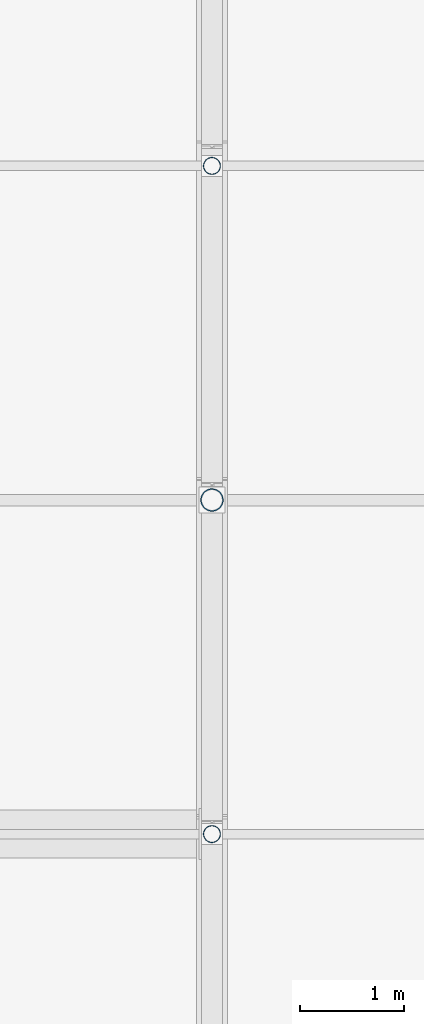
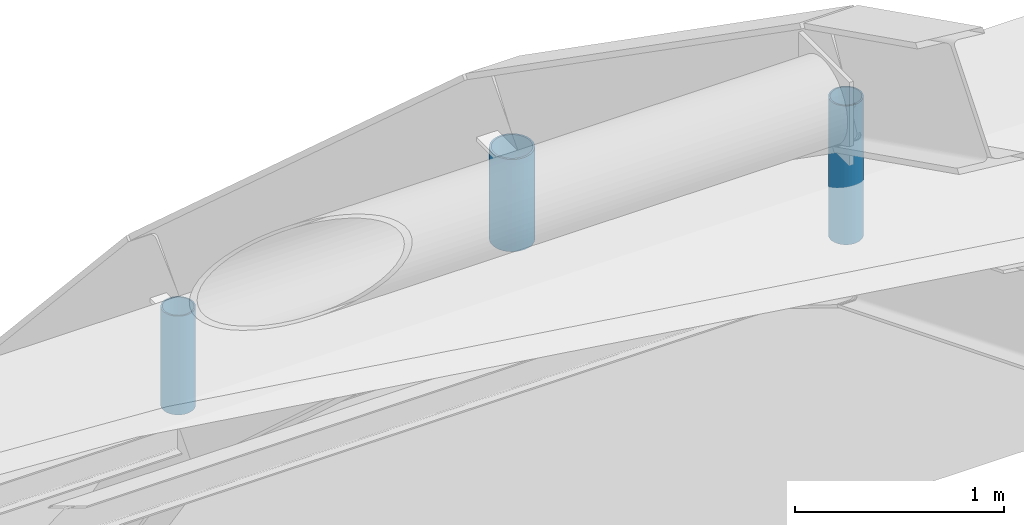
# One storey, part 103 of 126: 3 members.
"""IFC4 building model written with IfcOpenShell, lengths in metres."""

from ifc_helpers import new_model, si_unit, direction, frame, origin, origin_2d, place, context, subcontext, project, spatial, hollow_circle, extrude, material, material_profile, profile_set, type_object, element, save


model = new_model("IFC4")

# Units and contexts
model_context = context("Model", 3, precision=1e-05, world=origin(), true_north=direction((0.0, 1.0)))
body_context = subcontext(model_context, "Body", "Model", "MODEL_VIEW")
ifc_project = project(units=[si_unit("LENGTHUNIT", "METRE"), si_unit("AREAUNIT", "SQUARE_METRE"), si_unit("VOLUMEUNIT", "CUBIC_METRE"), si_unit("PLANEANGLEUNIT", "RADIAN"), si_unit("MASSUNIT", "GRAM", prefix="KILO")], contexts=[model_context])

# Site, building, storey
site_placement = place(None, origin())
site = spatial("IfcSite", under=ifc_project, at=site_placement, CompositionType="ELEMENT")
building_placement = place(site_placement, origin())
building = spatial("IfcBuilding", under=site, at=building_placement, Name="Coralgate Yard Interchange", CompositionType="ELEMENT")
storey_placement = place(building_placement, frame((0.0, 0.0, 10.5)))
storey = spatial("IfcBuildingStorey", under=building, at=storey_placement, Name="L02", CompositionType="ELEMENT", Elevation=10.5)

# Members
ifc_material = material(Name="Yellow-ochre weather-coated structural steel S355J2", Category="steel")
ifc_material_profile_1 = material_profile(ifc_material, hollow_circle(Radius=0.109619140625, WallThickness=0.010009765625, at=origin_2d()), Name="CHS 219.1x10")
ifc_profile_set_1 = profile_set([ifc_material_profile_1], Name="Yellow-ochre weather-coated structural steel S355J2")
member_type_1 = type_object("IfcMemberType", Name="MB-HG-1", PredefinedType="STRUT", material=ifc_profile_set_1)
member_1_placement = place(storey_placement, frame((124.800048828125, 70.39990234375, 7.44921875), z_axis=(0.0, 0.0, 1.0), x_axis=(1.0, 0.0, 0.0)))
element("IfcMember", 1, at=member_1_placement, inside=storey, type_object=member_type_1, Name="Arch AR-5 steel suspension hanger 10", PredefinedType="STRUT", context=body_context, shape_type="SweptSolid", body=[
    extrude(hollow_circle(Radius=0.109619140625, WallThickness=0.010009765625, at=origin_2d()), origin(), (0.0, 0.0, 1.0), 0.539794921875),
])
ifc_material_profile_2 = material_profile(ifc_material, hollow_circle(Radius=0.084228515625, WallThickness=0.008056640625, at=origin_2d()), Name="CHS 168.3x8")
ifc_profile_set_2 = profile_set([ifc_material_profile_2], Name="Yellow-ochre weather-coated structural steel S355J2")
member_type_2 = type_object("IfcMemberType", Name="MB-HG-2", PredefinedType="STRUT", material=ifc_profile_set_2)
member_2_placement = place(storey_placement, frame((124.800048828125, 67.199951171875, 9.41259765625), z_axis=(0.0, 0.0, 1.0), x_axis=(1.0, 0.0, 0.0)))
element("IfcMember", 2, at=member_2_placement, inside=storey, type_object=member_type_2, Name="Arch AR-5 steel suspension hanger 9", PredefinedType="STRUT", context=body_context, shape_type="SweptSolid", body=[
    extrude(hollow_circle(Radius=0.084228515625, WallThickness=0.008056640625, at=origin_2d()), origin(), (0.0, 0.0, 1.0), 0.8125),
])
member_3_placement = place(storey_placement, frame((124.800048828125, 73.60009765625, 4.5361328125), z_axis=(0.0, 0.0, 1.0), x_axis=(1.0, 0.0, 0.0)))
element("IfcMember", 3, at=member_3_placement, inside=storey, type_object=member_type_2, Name="Arch AR-5 steel suspension hanger 11", PredefinedType="STRUT", context=body_context, shape_type="SweptSolid", body=[
    extrude(hollow_circle(Radius=0.084228515625, WallThickness=0.008056640625, at=origin_2d()), origin(), (0.0, 0.0, 1.0), 0.577880859375),
])

save(model, "model.ifc")
